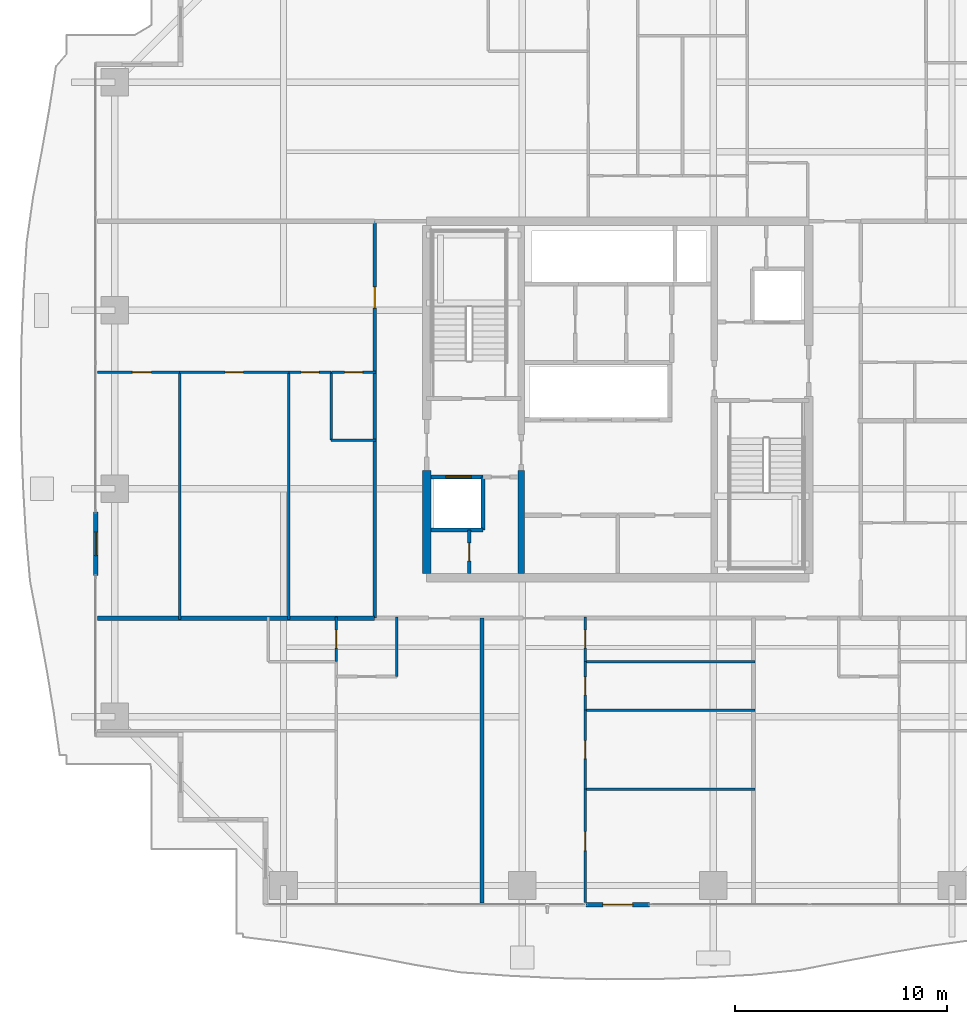
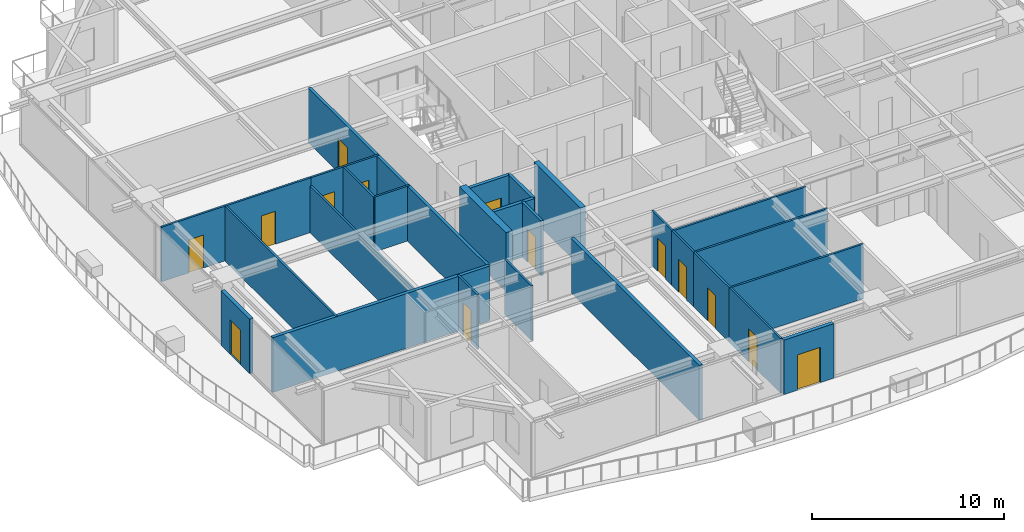
# One storey, part 23 of 35: 28 walls, 14 doors, 14 openings.
"""IFC4 building model written with IfcOpenShell, lengths in metres."""

from ifc_helpers import new_model, si_unit, direction, frame, frame_2d, origin, place, context, subcontext, project, spatial, rectangle, extrude, source, transform, mapped, material, layer, layer_set, type_object, element, fill, save


model = new_model("IFC4")

# Units and contexts
model_context = context("Model", 3, precision=1e-05, world=origin(), true_north=direction((0.0, 1.0)))
body_context = subcontext(model_context, "Body", "Model", "MODEL_VIEW")
ifc_project = project(units=[si_unit("LENGTHUNIT", "METRE"), si_unit("AREAUNIT", "SQUARE_METRE"), si_unit("VOLUMEUNIT", "CUBIC_METRE"), si_unit("PLANEANGLEUNIT", "RADIAN"), si_unit("MASSUNIT", "GRAM", prefix="KILO")], contexts=[model_context])

# Site, building, storey
site_placement = place(None, origin())
site = spatial("IfcSite", under=ifc_project, at=site_placement, CompositionType="ELEMENT")
building_placement = place(site_placement, origin())
building = spatial("IfcBuilding", under=site, at=building_placement, Name="Serunith Strait Residences", CompositionType="ELEMENT")
storey_placement = place(building_placement, frame((0.0, 0.0, 157.64990234375)))
storey = spatial("IfcBuildingStorey", under=building, at=storey_placement, Name="L39", CompositionType="ELEMENT", Elevation=157.64990234375)

# Wall, opening, door
ifc_material_1 = material(Name="Pale-Champagne Aluminium Insulated Panel", Category="aluminium")
ifc_layer_1 = layer(ifc_material_1, 0.219970703125, Name="Pale-Champagne Aluminium Insulated Panel")
ifc_layer_set_1 = layer_set([ifc_layer_1], Name="Pale-Champagne Aluminium Insulated Panel")
wall_type_1 = type_object("IfcWallType", Name="EW-ALUM-220", PredefinedType="ELEMENTEDWALL", material=ifc_layer_set_1)
wall_1_placement = place(storey_placement, frame((30.89990234375, 1.39990234375, 0.0), z_axis=(0.0, 0.0, 1.0), x_axis=(1.0, 0.0, 0.0)))
wall_1 = element("IfcWall", 1, at=wall_1_placement, inside=storey, type_object=wall_type_1, Name="L39 S Facade Pier Wall", PredefinedType="ELEMENTEDWALL", context=body_context, shape_type="SweptSolid", body=[
    extrude(rectangle(XDim=3.0, YDim=0.219970703125, at=frame_2d((1.5, 0.0))), origin(), (0.0, 0.0, 1.0), 3.47509765625),
])
opening_1_placement = place(wall_1_placement, frame((0.800048828125, 0.0, 0.0)))
opening_1 = element("IfcOpeningElement", 2, at=opening_1_placement, cuts=wall_1, Name="Opening ED-04", PredefinedType="OPENING", context=body_context, shape_type="SweptSolid", body=[
    extrude(rectangle(XDim=1.39990234375, YDim=2.25, at=frame_2d((0.699951171875, 1.125))), frame((0.0, 0.1201171875, 0.0), z_axis=(0.0, -1.0, 0.0), x_axis=(1.0, 0.0, 0.0)), (0.0, 0.0, 1.0), 0.239990234375),
])
ifc_material_2 = material(Name="Thermally-Broken Aluminium Sliding Balcony Door", Category="aluminium")
door_type_1 = type_object("IfcDoorType", Name="ED-BALC-1400", OperationType="NOTDEFINED", PredefinedType="DOOR", material=ifc_material_2)
shared_shape_1 = source(origin(), body_context, "Body", "SweptSolid", [
    extrude(rectangle(XDim=1.39990234375, YDim=2.25, at=frame_2d((0.699951171875, 1.125))), frame((0.0, 0.02490234375, 0.0), z_axis=(0.0, -1.0, 0.0), x_axis=(1.0, 0.0, 0.0)), (0.0, 0.0, 1.0), 0.050048828125),
])
door_1_placement = place(opening_1_placement, origin())
door_1 = element("IfcDoor", 3, at=door_1_placement, inside=storey, type_object=door_type_1, Name="L39 S Vertical-Forest Balcony Door", OperationType="SLIDING_TO_LEFT", OverallHeight=2.25, OverallWidth=1.39990234375, PredefinedType="DOOR", context=body_context, shape_type="MappedRepresentation", body=[
    mapped(shared_shape_1, transform((0.0, 0.0, 0.0), scale=1.0)),
])
fill(opening_1, door_1)

wall_2_placement = place(storey_placement, frame((7.800048828125, 19.89990234375, 0.0), z_axis=(0.0, 0.0, 1.0), x_axis=(0.0, -1.0, 0.0)))
wall_2 = element("IfcWall", 4, at=wall_2_placement, inside=storey, type_object=wall_type_1, Name="L39 W Facade Pier Wall", PredefinedType="ELEMENTEDWALL", context=body_context, shape_type="SweptSolid", body=[
    extrude(rectangle(XDim=3.0, YDim=0.219970703125, at=frame_2d((1.5, 0.0))), origin(), (0.0, 0.0, 1.0), 3.47509765625),
])
opening_2_placement = place(wall_2_placement, frame((0.949951171875, 0.0, 0.0)))
opening_2 = element("IfcOpeningElement", 5, at=opening_2_placement, cuts=wall_2, Name="Opening ED-03", PredefinedType="OPENING", context=body_context, shape_type="SweptSolid", body=[
    extrude(rectangle(XDim=1.10009765625, YDim=2.199951171875, at=frame_2d((0.550048828125, 1.10009765625))), frame((0.0, 0.1201171875, 0.0), z_axis=(0.0, -1.0, 0.0), x_axis=(1.0, 0.0, 0.0)), (0.0, 0.0, 1.0), 0.239990234375),
])
ifc_material_3 = material(Name="Thermally-Broken Aluminium Glazed Balcony Door", Category="aluminium")
door_type_2 = type_object("IfcDoorType", Name="ED-BALC-1100", OperationType="NOTDEFINED", PredefinedType="DOOR", material=ifc_material_3)
shared_shape_2 = source(origin(), body_context, "Body", "SweptSolid", [
    extrude(rectangle(XDim=1.10009765625, YDim=2.199951171875, at=frame_2d((0.550048828125, 1.10009765625))), frame((0.0, 0.02490234375, 0.0), z_axis=(0.0, -1.0, 0.0), x_axis=(1.0, 0.0, 0.0)), (0.0, 0.0, 1.0), 0.050048828125),
])
door_2_placement = place(opening_2_placement, origin())
door_2 = element("IfcDoor", 6, at=door_2_placement, inside=storey, type_object=door_type_2, Name="L39 W Vertical-Forest Balcony Door", OperationType="SINGLE_SWING_LEFT", OverallHeight=2.199951171875, OverallWidth=1.10009765625, PredefinedType="DOOR", context=body_context, shape_type="MappedRepresentation", body=[
    mapped(shared_shape_2, transform((0.0, 0.0, 0.0), scale=1.0)),
])
fill(opening_2, door_2)

ifc_material_4 = material(Name="Fire-rated masonry service closet wall", Category="masonry")
ifc_layer_2 = layer(ifc_material_4, 0.14990234375, Name="Fire-rated masonry service closet wall")
ifc_layer_set_2 = layer_set([ifc_layer_2], Name="Fire-rated masonry service closet wall")
wall_type_2 = type_object("IfcWallType", Name="IW-BOH-150", PredefinedType="PARTITIONING", material=ifc_layer_set_2)
wall_3_placement = place(storey_placement, frame((25.39990234375, 17.0, 0.0), z_axis=(0.0, 0.0, 1.0), x_axis=(0.0, 1.0, 0.0)))
wall_3 = element("IfcWall", 7, at=wall_3_placement, inside=storey, type_object=wall_type_2, Name="L39 Partition Wall 012", PredefinedType="PARTITIONING", context=body_context, shape_type="SweptSolid", body=[
    extrude(rectangle(XDim=2.050048828125, YDim=0.14990234375, at=frame_2d((1.02490234375, 0.0))), origin(), (0.0, 0.0, 1.0), 3.489990234375),
])
opening_3_placement = place(wall_3_placement, frame((0.60009765625, 0.0, 0.0)))
opening_3 = element("IfcOpeningElement", 8, at=opening_3_placement, cuts=wall_3, Name="Opening FD-850", PredefinedType="OPENING", context=body_context, shape_type="SweptSolid", body=[
    extrude(rectangle(XDim=0.85009765625, YDim=2.10009765625, at=frame_2d((0.425048828125, 1.050048828125))), frame((0.0, 0.0849609375, 0.0), z_axis=(0.0, -1.0, 0.0), x_axis=(1.0, 0.0, 0.0)), (0.0, 0.0, 1.0), 0.169921875),
])
ifc_material_5 = material(Name="Powder-coated steel service closet door", Category="steel")
door_type_3 = type_object("IfcDoorType", Name="FD-BOH-850", OperationType="NOTDEFINED", PredefinedType="DOOR", material=ifc_material_5)
shared_shape_3 = source(origin(), body_context, "Body", "SweptSolid", [
    extrude(rectangle(XDim=0.85009765625, YDim=2.10009765625, at=frame_2d((0.425048828125, 1.050048828125))), frame((0.0, 0.02490234375, 0.0), z_axis=(0.0, -1.0, 0.0), x_axis=(1.0, 0.0, 0.0)), (0.0, 0.0, 1.0), 0.050048828125),
])
door_3_placement = place(opening_3_placement, origin())
door_3 = element("IfcDoor", 9, at=door_3_placement, inside=storey, type_object=door_type_3, Name="L39 Sprinkler Plant Door", OperationType="SINGLE_SWING_LEFT", OverallHeight=2.10009765625, OverallWidth=0.85009765625, PredefinedType="DOOR", context=body_context, shape_type="MappedRepresentation", body=[
    mapped(shared_shape_3, transform((0.0, 0.0, 0.0), scale=1.0)),
])
fill(opening_3, door_3)

ifc_material_6 = material(Name="Fire-rated acoustic gypsum partition")
ifc_layer_3 = layer(ifc_material_6, 0.179931640625, Name="Fire-rated acoustic gypsum partition")
ifc_layer_set_3 = layer_set([ifc_layer_3], Name="Fire-rated acoustic gypsum partition")
wall_type_3 = type_object("IfcWallType", Name="IW-CORR-180", PredefinedType="PARTITIONING", material=ifc_layer_set_3)
wall_4_placement = place(storey_placement, frame((20.949951171875, 14.89990234375, 0.0), z_axis=(0.0, 0.0, 1.0), x_axis=(0.0, 1.0, 0.0)))
wall_4 = element("IfcWall", 10, at=wall_4_placement, inside=storey, type_object=wall_type_3, Name="L39 Partition Wall 028", PredefinedType="PARTITIONING", context=body_context, shape_type="SweptSolid", body=[
    extrude(rectangle(XDim=18.7001953125, YDim=0.179931640625, at=frame_2d((9.35009765625, 0.0))), origin(), (0.0, 0.0, 1.0), 3.489990234375),
])
opening_4_placement = place(wall_4_placement, frame((14.60302734375, 0.0, 0.0)))
opening_4 = element("IfcOpeningElement", 11, at=opening_4_placement, cuts=wall_4, Name="Opening D-APT1000", PredefinedType="OPENING", context=body_context, shape_type="SweptSolid", body=[
    extrude(rectangle(XDim=1.0, YDim=2.14990234375, at=frame_2d((0.5, 1.074951171875))), frame((0.0, 0.10009765625, 0.0), z_axis=(0.0, -1.0, 0.0), x_axis=(1.0, 0.0, 0.0)), (0.0, 0.0, 1.0), 0.199951171875),
])
ifc_material_7 = material(Name="Solid timber engineered fire door", Category="wood")
door_type_4 = type_object("IfcDoorType", Name="ID-APT-1000", OperationType="NOTDEFINED", PredefinedType="DOOR", material=ifc_material_7)
shared_shape_4 = source(origin(), body_context, "Body", "SweptSolid", [
    extrude(rectangle(XDim=1.0, YDim=2.14990234375, at=frame_2d((0.5, 1.074951171875))), frame((0.0, 0.02490234375, 0.0), z_axis=(0.0, -1.0, 0.0), x_axis=(1.0, 0.0, 0.0)), (0.0, 0.0, 1.0), 0.050048828125),
])
door_4_placement = place(opening_4_placement, origin())
door_4 = element("IfcDoor", 12, at=door_4_placement, inside=storey, type_object=door_type_4, Name="L39 Unit 05 Entrance Door", OperationType="SINGLE_SWING_LEFT", OverallHeight=2.14990234375, OverallWidth=1.0, PredefinedType="DOOR", context=body_context, shape_type="MappedRepresentation", body=[
    mapped(shared_shape_4, transform((0.0, 0.0, 0.0), scale=1.0)),
])
fill(opening_4, door_4)

# Wall
ifc_material_8 = material(Name="Lightweight steel-stud gypsum partition", Category="steel")
ifc_layer_4 = layer(ifc_material_8, 0.1201171875, Name="Lightweight steel-stud gypsum partition")
ifc_layer_set_4 = layer_set([ifc_layer_4], Name="Lightweight steel-stud gypsum partition")
wall_type_4 = type_object("IfcWallType", Name="IW-PART-120", PredefinedType="PARTITIONING", material=ifc_layer_set_4)
wall_5_placement = place(storey_placement, frame((21.989990234375, 12.14990234375, 0.0), z_axis=(0.0, 0.0, 1.0), x_axis=(0.0, 1.0, 0.0)))
element("IfcWall", 13, at=wall_5_placement, inside=storey, type_object=wall_type_4, Name="L39 Partition Wall 033", PredefinedType="PARTITIONING", context=body_context, shape_type="SweptSolid", body=[
    extrude(rectangle(XDim=2.81005859375, YDim=0.1201171875, at=frame_2d((1.405029296875, 0.0))), origin(), (0.0, 0.0, 1.0), 3.489990234375),
])

# Wall, opening, door
wall_6_placement = place(storey_placement, frame((19.139892578125, 12.85205078125, 0.0), z_axis=(0.0, 0.0, 1.0), x_axis=(0.0, 1.0, 0.0)))
wall_6 = element("IfcWall", 14, at=wall_6_placement, inside=storey, type_object=wall_type_4, Name="L39 Partition Wall 039", PredefinedType="PARTITIONING", context=body_context, shape_type="SweptSolid", body=[
    extrude(rectangle(XDim=2.10791015625, YDim=0.1201171875, at=frame_2d((1.053955078125, 0.0))), origin(), (0.0, 0.0, 1.0), 3.489990234375),
])
opening_5_placement = place(wall_6_placement, frame((0.62890625, 0.0, 0.0)))
opening_5 = element("IfcOpeningElement", 15, at=opening_5_placement, cuts=wall_6, Name="Opening D-BTH850", PredefinedType="OPENING", context=body_context, shape_type="SweptSolid", body=[
    extrude(rectangle(XDim=0.85009765625, YDim=2.10009765625, at=frame_2d((0.425048828125, 1.050048828125))), frame((0.0, 0.070068359375, 0.0), z_axis=(0.0, -1.0, 0.0), x_axis=(1.0, 0.0, 0.0)), (0.0, 0.0, 1.0), 0.14013671875),
])
ifc_material_9 = material(Name="Moisture-resistant timber bathroom door", Category="wood")
door_type_5 = type_object("IfcDoorType", Name="ID-BATH-850", OperationType="NOTDEFINED", PredefinedType="DOOR", material=ifc_material_9)
door_5_placement = place(opening_5_placement, origin())
door_5 = element("IfcDoor", 16, at=door_5_placement, inside=storey, type_object=door_type_5, Name="L39 Bathroom 3901 Door", OperationType="SINGLE_SWING_RIGHT", OverallHeight=2.10009765625, OverallWidth=0.85009765625, PredefinedType="DOOR", context=body_context, shape_type="MappedRepresentation", body=[
    mapped(shared_shape_3, transform((0.0, 0.0, 0.0), scale=1.0)),
])
fill(opening_5, door_5)

wall_7_placement = place(storey_placement, frame((30.860107421875, 1.4951171875, 0.0), z_axis=(0.0, 0.0, 1.0), x_axis=(0.0, 1.0, 0.0)))
wall_7 = element("IfcWall", 17, at=wall_7_placement, inside=storey, type_object=wall_type_4, Name="L39 Partition Wall 040", PredefinedType="PARTITIONING", context=body_context, shape_type="SweptSolid", body=[
    extrude(rectangle(XDim=5.348876953125, YDim=0.1201171875, at=frame_2d((2.67431640625, 0.0))), origin(), (0.0, 0.0, 1.0), 3.489990234375),
])
opening_6_placement = place(wall_7_placement, frame((2.447021484375, 0.0, 0.0)))
opening_6 = element("IfcOpeningElement", 18, at=opening_6_placement, cuts=wall_7, Name="Opening D-RM900", PredefinedType="OPENING", context=body_context, shape_type="SweptSolid", body=[
    extrude(rectangle(XDim=0.89990234375, YDim=2.10009765625, at=frame_2d((0.449951171875, 1.050048828125))), frame((0.0, 0.070068359375, 0.0), z_axis=(0.0, -1.0, 0.0), x_axis=(1.0, 0.0, 0.0)), (0.0, 0.0, 1.0), 0.14013671875),
])
ifc_material_10 = material(Name="Engineered timber flush bedroom door", Category="wood")
door_type_6 = type_object("IfcDoorType", Name="ID-ROOM-900", OperationType="NOTDEFINED", PredefinedType="DOOR", material=ifc_material_10)
shared_shape_5 = source(origin(), body_context, "Body", "SweptSolid", [
    extrude(rectangle(XDim=0.89990234375, YDim=2.10009765625, at=frame_2d((0.449951171875, 1.050048828125))), frame((0.0, 0.02490234375, 0.0), z_axis=(0.0, -1.0, 0.0), x_axis=(1.0, 0.0, 0.0)), (0.0, 0.0, 1.0), 0.050048828125),
])
door_6_placement = place(opening_6_placement, origin())
door_6 = element("IfcDoor", 19, at=door_6_placement, inside=storey, type_object=door_type_6, Name="L39 Master Bedroom 1 3902 Door", OperationType="SINGLE_SWING_LEFT", OverallHeight=2.10009765625, OverallWidth=0.89990234375, PredefinedType="DOOR", context=body_context, shape_type="MappedRepresentation", body=[
    mapped(shared_shape_5, transform((0.0, 0.0, 0.0), scale=1.0)),
])
fill(opening_6, door_6)

# Walls
for number, where, z_axis, x_axis, name in (
    (20, (30.860107421875, 6.843994140625, 0.0), (0.0, 0.0, 1.0), (1.0, 0.0, 0.0), "L39 Partition Wall 041"),
    (21, (30.860107421875, 10.570068359375, 0.0), (0.0, 0.0, 1.0), (1.0, 0.0, 0.0), "L39 Partition Wall 042"),
    (22, (30.860107421875, 12.85009765625, 0.0), (0.0, 0.0, 1.0), (1.0, 0.0, 0.0), "L39 Partition Wall 043"),
):
    element("IfcWall", number, at=place(storey_placement, frame(where, z_axis=z_axis, x_axis=x_axis)), inside=storey, type_object=wall_type_4, Name=name, PredefinedType="PARTITIONING", context=body_context, shape_type="SweptSolid", body=[
        extrude(rectangle(XDim=8.0, YDim=0.1201171875, at=frame_2d((4.0, 0.0))), origin(), (0.0, 0.0, 1.0), 3.489990234375),
    ])

# Wall, opening, door
wall_8_placement = place(storey_placement, frame((30.860107421875, 6.845947265625, 0.0), z_axis=(0.0, 0.0, 1.0), x_axis=(0.0, 1.0, 0.0)))
wall_8 = element("IfcWall", 23, at=wall_8_placement, inside=storey, type_object=wall_type_4, Name="L39 Partition Wall 044", PredefinedType="PARTITIONING", context=body_context, shape_type="SweptSolid", body=[
    extrude(rectangle(XDim=3.72412109375, YDim=0.1201171875, at=frame_2d((1.862060546875, 0.0))), origin(), (0.0, 0.0, 1.0), 3.489990234375),
])
opening_7_placement = place(wall_8_placement, frame((1.43701171875, 0.0, 0.0)))
opening_7 = element("IfcOpeningElement", 24, at=opening_7_placement, cuts=wall_8, Name="Opening D-RM850", PredefinedType="OPENING", context=body_context, shape_type="SweptSolid", body=[
    extrude(rectangle(XDim=0.85009765625, YDim=2.10009765625, at=frame_2d((0.425048828125, 1.050048828125))), frame((0.0, 0.070068359375, 0.0), z_axis=(0.0, -1.0, 0.0), x_axis=(1.0, 0.0, 0.0)), (0.0, 0.0, 1.0), 0.14013671875),
])
ifc_material_11 = material(Name="Engineered timber flush study and kitchen door", Category="wood")
door_type_7 = type_object("IfcDoorType", Name="ID-ROOM-850", OperationType="NOTDEFINED", PredefinedType="DOOR", material=ifc_material_11)
door_7_placement = place(opening_7_placement, origin())
door_7 = element("IfcDoor", 25, at=door_7_placement, inside=storey, type_object=door_type_7, Name="L39 Dining 3902 Door", OperationType="SINGLE_SWING_RIGHT", OverallHeight=2.10009765625, OverallWidth=0.85009765625, PredefinedType="DOOR", context=body_context, shape_type="MappedRepresentation", body=[
    mapped(shared_shape_3, transform((0.0, 0.0, 0.0), scale=1.0)),
])
fill(opening_7, door_7)

wall_9_placement = place(storey_placement, frame((30.860107421875, 10.572021484375, 0.0), z_axis=(0.0, 0.0, 1.0), x_axis=(0.0, 1.0, 0.0)))
wall_9 = element("IfcWall", 26, at=wall_9_placement, inside=storey, type_object=wall_type_4, Name="L39 Partition Wall 045", PredefinedType="PARTITIONING", context=body_context, shape_type="SweptSolid", body=[
    extrude(rectangle(XDim=2.278076171875, YDim=0.1201171875, at=frame_2d((1.13916015625, 0.0))), origin(), (0.0, 0.0, 1.0), 3.489990234375),
])
opening_8_placement = place(wall_9_placement, frame((0.714111328125, 0.0, 0.0)))
opening_8 = element("IfcOpeningElement", 27, at=opening_8_placement, cuts=wall_9, Name="Opening D-RM850", PredefinedType="OPENING", context=body_context, shape_type="SweptSolid", body=[
    extrude(rectangle(XDim=0.85009765625, YDim=2.10009765625, at=frame_2d((0.425048828125, 1.050048828125))), frame((0.0, 0.070068359375, 0.0), z_axis=(0.0, -1.0, 0.0), x_axis=(1.0, 0.0, 0.0)), (0.0, 0.0, 1.0), 0.14013671875),
])
door_8_placement = place(opening_8_placement, origin())
door_8 = element("IfcDoor", 28, at=door_8_placement, inside=storey, type_object=door_type_7, Name="L39 Kitchen 3902 Door", OperationType="SINGLE_SWING_LEFT", OverallHeight=2.10009765625, OverallWidth=0.85009765625, PredefinedType="DOOR", context=body_context, shape_type="MappedRepresentation", body=[
    mapped(shared_shape_3, transform((0.0, 0.0, 0.0), scale=1.0)),
])
fill(opening_8, door_8)

wall_10_placement = place(storey_placement, frame((30.860107421875, 12.85205078125, 0.0), z_axis=(0.0, 0.0, 1.0), x_axis=(0.0, 1.0, 0.0)))
wall_10 = element("IfcWall", 29, at=wall_10_placement, inside=storey, type_object=wall_type_4, Name="L39 Partition Wall 046", PredefinedType="PARTITIONING", context=body_context, shape_type="SweptSolid", body=[
    extrude(rectangle(XDim=2.10791015625, YDim=0.1201171875, at=frame_2d((1.053955078125, 0.0))), origin(), (0.0, 0.0, 1.0), 3.489990234375),
])
opening_9_placement = place(wall_10_placement, frame((0.62890625, 0.0, 0.0)))
opening_9 = element("IfcOpeningElement", 30, at=opening_9_placement, cuts=wall_10, Name="Opening D-BTH850", PredefinedType="OPENING", context=body_context, shape_type="SweptSolid", body=[
    extrude(rectangle(XDim=0.85009765625, YDim=2.10009765625, at=frame_2d((0.425048828125, 1.050048828125))), frame((0.0, 0.070068359375, 0.0), z_axis=(0.0, -1.0, 0.0), x_axis=(1.0, 0.0, 0.0)), (0.0, 0.0, 1.0), 0.14013671875),
])
door_9_placement = place(opening_9_placement, origin())
door_9 = element("IfcDoor", 31, at=door_9_placement, inside=storey, type_object=door_type_5, Name="L39 Bathroom 3902 Door", OperationType="SINGLE_SWING_RIGHT", OverallHeight=2.10009765625, OverallWidth=0.85009765625, PredefinedType="DOOR", context=body_context, shape_type="MappedRepresentation", body=[
    mapped(shared_shape_3, transform((0.0, 0.0, 0.0), scale=1.0)),
])
fill(opening_9, door_9)

wall_11_placement = place(storey_placement, frame((7.89501953125, 26.489990234375, 0.0), z_axis=(0.0, 0.0, 1.0), x_axis=(1.0, 0.0, 0.0)))
wall_11 = element("IfcWall", 32, at=wall_11_placement, inside=storey, type_object=wall_type_4, Name="L39 Partition Wall 078", PredefinedType="PARTITIONING", context=body_context, shape_type="SweptSolid", body=[
    extrude(rectangle(XDim=3.864013671875, YDim=0.1201171875, at=frame_2d((1.93212890625, 0.0))), origin(), (0.0, 0.0, 1.0), 3.489990234375),
])
opening_10_placement = place(wall_11_placement, frame((1.6298828125, 0.0, 0.0)))
opening_10 = element("IfcOpeningElement", 33, at=opening_10_placement, cuts=wall_11, Name="Opening D-RM900", PredefinedType="OPENING", context=body_context, shape_type="SweptSolid", body=[
    extrude(rectangle(XDim=0.89990234375, YDim=2.10009765625, at=frame_2d((0.449951171875, 1.050048828125))), frame((0.0, 0.070068359375, 0.0), z_axis=(0.0, -1.0, 0.0), x_axis=(1.0, 0.0, 0.0)), (0.0, 0.0, 1.0), 0.14013671875),
])
door_10_placement = place(opening_10_placement, origin())
door_10 = element("IfcDoor", 34, at=door_10_placement, inside=storey, type_object=door_type_6, Name="L39 Master Bedroom 1 3905 Door", OperationType="SINGLE_SWING_RIGHT", OverallHeight=2.10009765625, OverallWidth=0.89990234375, PredefinedType="DOOR", context=body_context, shape_type="MappedRepresentation", body=[
    mapped(shared_shape_5, transform((0.0, 0.0, 0.0), scale=1.0)),
])
fill(opening_10, door_10)

# Walls
wall_12_placement = place(storey_placement, frame((11.759033203125, 14.840087890625, 0.0), z_axis=(0.0, 0.0, 1.0), x_axis=(0.0, 1.0, 0.0)))
element("IfcWall", 35, at=wall_12_placement, inside=storey, type_object=wall_type_4, Name="L39 Partition Wall 079", PredefinedType="PARTITIONING", context=body_context, shape_type="SweptSolid", body=[
    extrude(rectangle(XDim=11.64990234375, YDim=0.1201171875, at=frame_2d((5.824951171875, 0.0))), origin(), (0.0, 0.0, 1.0), 3.489990234375),
])
wall_13_placement = place(storey_placement, frame((16.89990234375, 14.840087890625, 0.0), z_axis=(0.0, 0.0, 1.0), x_axis=(0.0, 1.0, 0.0)))
element("IfcWall", 36, at=wall_13_placement, inside=storey, type_object=wall_type_4, Name="L39 Partition Wall 080", PredefinedType="PARTITIONING", context=body_context, shape_type="SweptSolid", body=[
    extrude(rectangle(XDim=11.64990234375, YDim=0.1201171875, at=frame_2d((5.824951171875, 0.0))), origin(), (0.0, 0.0, 1.0), 2.97216796875),
])
wall_14_placement = place(storey_placement, frame((18.89990234375, 23.2900390625, 0.0), z_axis=(0.0, 0.0, 1.0), x_axis=(0.0, 1.0, 0.0)))
element("IfcWall", 37, at=wall_14_placement, inside=storey, type_object=wall_type_4, Name="L39 Partition Wall 081", PredefinedType="PARTITIONING", context=body_context, shape_type="SweptSolid", body=[
    extrude(rectangle(XDim=3.199951171875, YDim=0.1201171875, at=frame_2d((1.60009765625, 0.0))), origin(), (0.0, 0.0, 1.0), 3.489990234375),
])
wall_15_placement = place(storey_placement, frame((18.89990234375, 23.2900390625, 0.0), z_axis=(0.0, 0.0, 1.0), x_axis=(1.0, 0.0, 0.0)))
element("IfcWall", 38, at=wall_15_placement, inside=storey, type_object=wall_type_4, Name="L39 Partition Wall 082", PredefinedType="PARTITIONING", context=body_context, shape_type="SweptSolid", body=[
    extrude(rectangle(XDim=2.110107421875, YDim=0.1201171875, at=frame_2d((1.05517578125, 0.0))), origin(), (0.0, 0.0, 1.0), 3.489990234375),
])

# Wall, opening, door
wall_16_placement = place(storey_placement, frame((11.760986328125, 26.489990234375, 0.0), z_axis=(0.0, 0.0, 1.0), x_axis=(1.0, 0.0, 0.0)))
wall_16 = element("IfcWall", 39, at=wall_16_placement, inside=storey, type_object=wall_type_4, Name="L39 Partition Wall 083", PredefinedType="PARTITIONING", context=body_context, shape_type="SweptSolid", body=[
    extrude(rectangle(XDim=5.138916015625, YDim=0.1201171875, at=frame_2d((2.5693359375, 0.0))), origin(), (0.0, 0.0, 1.0), 3.489990234375),
])
opening_11_placement = place(wall_16_placement, frame((2.14404296875, 0.0, 0.0)))
opening_11 = element("IfcOpeningElement", 40, at=opening_11_placement, cuts=wall_16, Name="Opening D-RM850", PredefinedType="OPENING", context=body_context, shape_type="SweptSolid", body=[
    extrude(rectangle(XDim=0.85009765625, YDim=2.10009765625, at=frame_2d((0.425048828125, 1.050048828125))), frame((0.0, 0.070068359375, 0.0), z_axis=(0.0, -1.0, 0.0), x_axis=(1.0, 0.0, 0.0)), (0.0, 0.0, 1.0), 0.14013671875),
])
door_11_placement = place(opening_11_placement, origin())
door_11 = element("IfcDoor", 41, at=door_11_placement, inside=storey, type_object=door_type_7, Name="L39 Dining 3905 Door", OperationType="SINGLE_SWING_LEFT", OverallHeight=2.10009765625, OverallWidth=0.85009765625, PredefinedType="DOOR", context=body_context, shape_type="MappedRepresentation", body=[
    mapped(shared_shape_3, transform((0.0, 0.0, 0.0), scale=1.0)),
])
fill(opening_11, door_11)

wall_17_placement = place(storey_placement, frame((16.902099609375, 26.489990234375, 0.0), z_axis=(0.0, 0.0, 1.0), x_axis=(1.0, 0.0, 0.0)))
wall_17 = element("IfcWall", 42, at=wall_17_placement, inside=storey, type_object=wall_type_4, Name="L39 Partition Wall 084", PredefinedType="PARTITIONING", context=body_context, shape_type="SweptSolid", body=[
    extrude(rectangle(XDim=1.997802734375, YDim=0.1201171875, at=frame_2d((0.9990234375, 0.0))), origin(), (0.0, 0.0, 1.0), 3.489990234375),
])
opening_12_placement = place(wall_17_placement, frame((0.573974609375, 0.0, 0.0)))
opening_12 = element("IfcOpeningElement", 43, at=opening_12_placement, cuts=wall_17, Name="Opening D-RM850", PredefinedType="OPENING", context=body_context, shape_type="SweptSolid", body=[
    extrude(rectangle(XDim=0.85009765625, YDim=2.10009765625, at=frame_2d((0.425048828125, 1.050048828125))), frame((0.0, 0.070068359375, 0.0), z_axis=(0.0, -1.0, 0.0), x_axis=(1.0, 0.0, 0.0)), (0.0, 0.0, 1.0), 0.14013671875),
])
door_12_placement = place(opening_12_placement, origin())
door_12 = element("IfcDoor", 44, at=door_12_placement, inside=storey, type_object=door_type_7, Name="L39 Kitchen 3905 Door", OperationType="SINGLE_SWING_RIGHT", OverallHeight=2.10009765625, OverallWidth=0.85009765625, PredefinedType="DOOR", context=body_context, shape_type="MappedRepresentation", body=[
    mapped(shared_shape_3, transform((0.0, 0.0, 0.0), scale=1.0)),
])
fill(opening_12, door_12)

wall_18_placement = place(storey_placement, frame((18.902099609375, 26.489990234375, 0.0), z_axis=(0.0, 0.0, 1.0), x_axis=(1.0, 0.0, 0.0)))
wall_18 = element("IfcWall", 45, at=wall_18_placement, inside=storey, type_object=wall_type_4, Name="L39 Partition Wall 085", PredefinedType="PARTITIONING", context=body_context, shape_type="SweptSolid", body=[
    extrude(rectangle(XDim=2.10791015625, YDim=0.1201171875, at=frame_2d((1.053955078125, 0.0))), origin(), (0.0, 0.0, 1.0), 3.489990234375),
])
opening_13_placement = place(wall_18_placement, frame((0.62890625, 0.0, 0.0)))
opening_13 = element("IfcOpeningElement", 46, at=opening_13_placement, cuts=wall_18, Name="Opening D-BTH850", PredefinedType="OPENING", context=body_context, shape_type="SweptSolid", body=[
    extrude(rectangle(XDim=0.85009765625, YDim=2.10009765625, at=frame_2d((0.425048828125, 1.050048828125))), frame((0.0, 0.070068359375, 0.0), z_axis=(0.0, -1.0, 0.0), x_axis=(1.0, 0.0, 0.0)), (0.0, 0.0, 1.0), 0.14013671875),
])
door_13_placement = place(opening_13_placement, origin())
door_13 = element("IfcDoor", 47, at=door_13_placement, inside=storey, type_object=door_type_5, Name="L39 Bathroom 3905 Door", OperationType="SINGLE_SWING_LEFT", OverallHeight=2.10009765625, OverallWidth=0.85009765625, PredefinedType="DOOR", context=body_context, shape_type="MappedRepresentation", body=[
    mapped(shared_shape_3, transform((0.0, 0.0, 0.0), scale=1.0)),
])
fill(opening_13, door_13)

# Walls
ifc_material_12 = material(Name="Twin-stud acoustic gypsum board partition")
ifc_layer_5 = layer(ifc_material_12, 0.199951171875, Name="Twin-stud acoustic gypsum board partition")
ifc_layer_set_5 = layer_set([ifc_layer_5], Name="Twin-stud acoustic gypsum board partition")
wall_type_5 = type_object("IfcWallType", Name="IW-PARTY-200", PredefinedType="PARTITIONING", material=ifc_layer_set_5)
wall_19_placement = place(storey_placement, frame((26.0, 1.48193359375, 0.0), z_axis=(0.0, 0.0, 1.0), x_axis=(0.0, 1.0, 0.0)))
element("IfcWall", 48, at=wall_19_placement, inside=storey, type_object=wall_type_5, Name="L39 Partition Wall 020", PredefinedType="PARTITIONING", context=body_context, shape_type="SweptSolid", body=[
    extrude(rectangle(XDim=13.41796875, YDim=0.199951171875, at=frame_2d((6.708984375, 0.0))), origin(), (0.0, 0.0, 1.0), 3.489990234375),
])
wall_20_placement = place(storey_placement, frame((7.882080078125, 14.89990234375, 0.0), z_axis=(0.0, 0.0, 1.0), x_axis=(1.0, 0.0, 0.0)))
element("IfcWall", 49, at=wall_20_placement, inside=storey, type_object=wall_type_5, Name="L39 Partition Wall 023", PredefinedType="PARTITIONING", context=body_context, shape_type="SweptSolid", body=[
    extrude(rectangle(XDim=13.06787109375, YDim=0.199951171875, at=frame_2d((6.533935546875, 0.0))), origin(), (0.0, 0.0, 1.0), 3.489990234375),
])

# Wall, opening, door
ifc_material_13 = material(Name="Autoclaved aerated concrete blockwork", Category="masonry")
ifc_layer_6 = layer(ifc_material_13, 0.199951171875, Name="Autoclaved aerated concrete blockwork")
ifc_layer_set_6 = layer_set([ifc_layer_6], Name="Autoclaved aerated concrete blockwork")
wall_type_6 = type_object("IfcWallType", Name="IW-SHAFT-200", PredefinedType="STANDARD", material=ifc_layer_set_6)
wall_21_placement = place(storey_placement, frame((23.60009765625, 21.550048828125, 0.0), z_axis=(0.0, 0.0, 1.0), x_axis=(1.0, 0.0, 0.0)))
wall_21 = element("IfcWall", 50, at=wall_21_placement, inside=storey, type_object=wall_type_6, Name="L39 FL-1 North Shaft Wall", PredefinedType="STANDARD", context=body_context, shape_type="SweptSolid", body=[
    extrude(rectangle(XDim=2.449951171875, YDim=0.199951171875, at=frame_2d((1.22509765625, 0.0))), origin(), (0.0, 0.0, 1.0), 3.489990234375),
])
opening_14_placement = place(wall_21_placement, frame((0.699951171875, 0.0, 0.0)))
opening_14 = element("IfcOpeningElement", 51, at=opening_14_placement, cuts=wall_21, Name="Opening LD-FF1200", PredefinedType="OPENING", context=body_context, shape_type="SweptSolid", body=[
    extrude(rectangle(XDim=1.199951171875, YDim=2.199951171875, at=frame_2d((0.60009765625, 1.10009765625))), frame((0.0, 0.10986328125, 0.0), z_axis=(0.0, -1.0, 0.0), x_axis=(1.0, 0.0, 0.0)), (0.0, 0.0, 1.0), 0.219970703125),
])
ifc_material_14 = material(Name="Brushed stainless steel landing door", Category="steel")
door_type_8 = type_object("IfcDoorType", Name="LD-FF-1200", OperationType="DOUBLE_DOOR_SLIDING", PredefinedType="DOOR", material=ifc_material_14)
shared_shape_6 = source(origin(), body_context, "Body", "SweptSolid", [
    extrude(rectangle(XDim=1.199951171875, YDim=2.199951171875, at=frame_2d((0.60009765625, 1.10009765625))), frame((0.0, 0.02490234375, 0.0), z_axis=(0.0, -1.0, 0.0), x_axis=(1.0, 0.0, 0.0)), (0.0, 0.0, 1.0), 0.050048828125),
])
door_14_placement = place(opening_14_placement, origin())
door_14 = element("IfcDoor", 52, at=door_14_placement, inside=storey, type_object=door_type_8, Name="L39 FL-1 Landing Door", OperationType="DOUBLE_DOOR_SLIDING", OverallHeight=2.199951171875, OverallWidth=1.199951171875, PredefinedType="DOOR", context=body_context, shape_type="MappedRepresentation", body=[
    mapped(shared_shape_6, transform((0.0, 0.0, 0.0), scale=1.0)),
])
fill(opening_14, door_14)

# Walls
wall_22_placement = place(storey_placement, frame((26.050048828125, 19.050048828125, 0.0), z_axis=(0.0, 0.0, 1.0), x_axis=(0.0, 1.0, 0.0)))
element("IfcWall", 53, at=wall_22_placement, inside=storey, type_object=wall_type_6, Name="L39 Partition Wall 001", PredefinedType="STANDARD", context=body_context, shape_type="SweptSolid", body=[
    extrude(rectangle(XDim=2.5, YDim=0.199951171875, at=frame_2d((1.25, 0.0))), origin(), (0.0, 0.0, 1.0), 3.489990234375),
])
wall_23_placement = place(storey_placement, frame((23.60009765625, 19.050048828125, 0.0), z_axis=(0.0, 0.0, 1.0), x_axis=(1.0, 0.0, 0.0)))
element("IfcWall", 54, at=wall_23_placement, inside=storey, type_object=wall_type_6, Name="L39 Partition Wall 002", PredefinedType="STANDARD", context=body_context, shape_type="SweptSolid", body=[
    extrude(rectangle(XDim=2.449951171875, YDim=0.199951171875, at=frame_2d((1.22509765625, 0.0))), origin(), (0.0, 0.0, 1.0), 3.489990234375),
])
ifc_material_15 = material(Name="Concrete C70/85", Category="concrete")
ifc_layer_7 = layer(ifc_material_15, 0.300048828125, Name="Concrete C70/85")
ifc_layer_set_7 = layer_set([ifc_layer_7], Name="Concrete C70/85")
wall_type_7 = type_object("IfcWallType", Name="SW-300-C70", PredefinedType="SHEAR", material=ifc_layer_set_7)
wall_24_placement = place(storey_placement, frame((27.85009765625, 17.0, -0.260009765625), z_axis=(0.0, 0.0, 1.0), x_axis=(0.0, 1.0, 0.0)))
element("IfcWall", 55, at=wall_24_placement, inside=storey, type_object=wall_type_7, Name="L39 Core Internal West Web South Pier", PredefinedType="SHEAR", context=body_context, shape_type="SweptSolid", body=[
    extrude(rectangle(XDim=4.85009765625, YDim=0.300048828125, at=frame_2d((2.425048828125, 0.0))), origin(), (0.0, 0.0, 1.0), 3.748046875),
])
ifc_layer_8 = layer(ifc_material_15, 0.39990234375, Name="Concrete C70/85")
ifc_layer_set_8 = layer_set([ifc_layer_8], Name="Concrete C70/85")
wall_type_8 = type_object("IfcWallType", Name="SW-400-C70", PredefinedType="SHEAR", material=ifc_layer_set_8)
wall_25_placement = place(storey_placement, frame((23.39990234375, 17.0, -0.260009765625), z_axis=(0.0, 0.0, 1.0), x_axis=(0.0, 1.0, 0.0)))
element("IfcWall", 56, at=wall_25_placement, inside=storey, type_object=wall_type_8, Name="L39 Core West Shear Wall South Pier", PredefinedType="SHEAR", context=body_context, shape_type="SweptSolid", body=[
    extrude(rectangle(XDim=4.85009765625, YDim=0.39990234375, at=frame_2d((2.425048828125, 0.0))), origin(), (0.0, 0.0, 1.0), 3.748046875),
])

save(model, "model.ifc")
